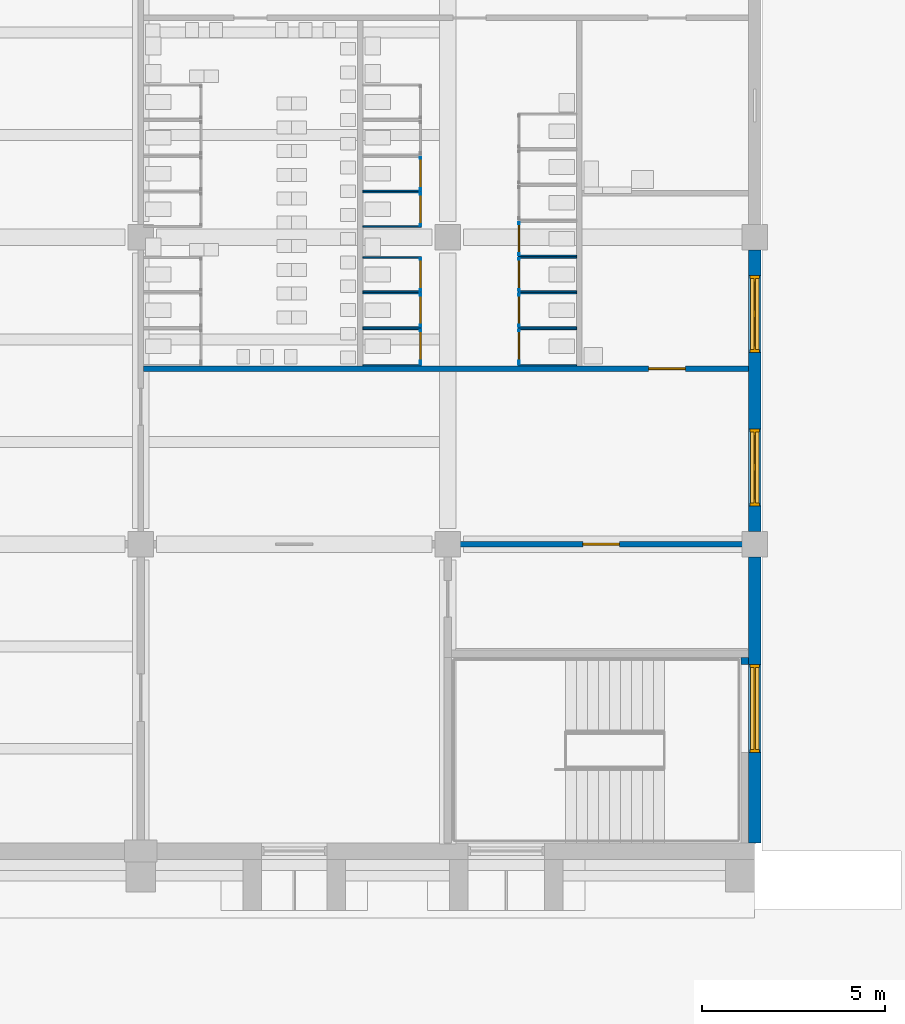
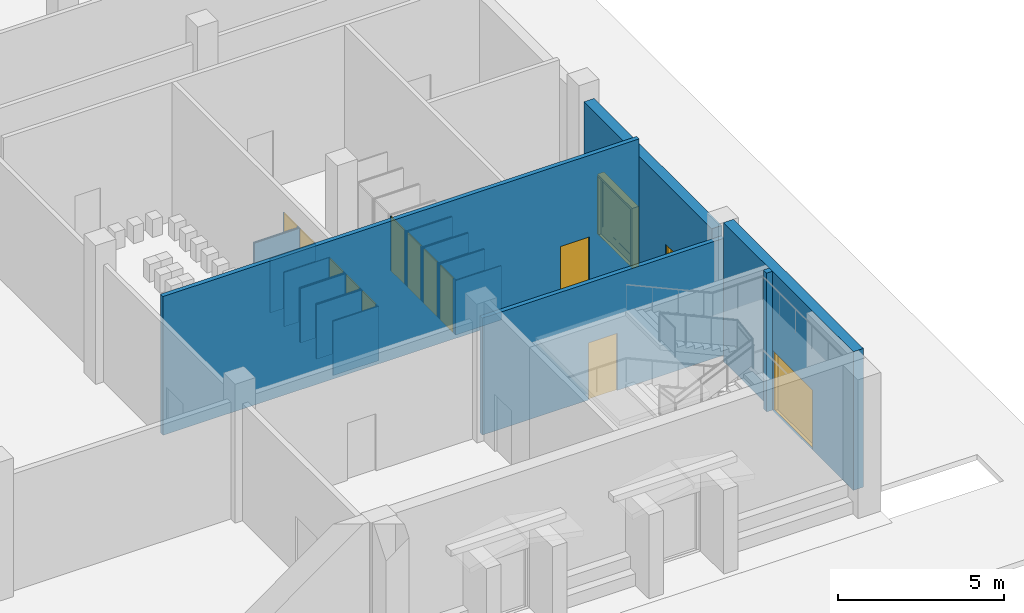
# One storey, part 35 of 74: 30 walls, 14 doors, 14 openings.
"""IFC4 building model written with IfcOpenShell, lengths in metres."""

from ifc_helpers import new_model, si_unit, direction, frame, frame_2d, origin, place, context, subcontext, project, spatial, rectangle, extrude, material, layer, layer_set, type_object, element, fill, save


model = new_model("IFC4")

# Units and contexts
model_context = context("Model", 3, precision=1e-05, world=origin(), true_north=direction((0.0, 1.0)))
body_context = subcontext(model_context, "Body", "Model", "MODEL_VIEW")
ifc_project = project(units=[si_unit("LENGTHUNIT", "METRE"), si_unit("AREAUNIT", "SQUARE_METRE"), si_unit("VOLUMEUNIT", "CUBIC_METRE"), si_unit("PLANEANGLEUNIT", "RADIAN"), si_unit("MASSUNIT", "GRAM", prefix="KILO")], contexts=[model_context])

# Site, building, storey
site_placement = place(None, origin())
site = spatial("IfcSite", under=ifc_project, at=site_placement, CompositionType="ELEMENT")
building_placement = place(site_placement, origin())
building = spatial("IfcBuilding", under=site, at=building_placement, Name="Rulbaag Community and Learning Centre", CompositionType="ELEMENT")
storey_placement = place(building_placement, origin())
storey = spatial("IfcBuildingStorey", under=building, at=storey_placement, Name="L00", CompositionType="ELEMENT", Elevation=0.0)

# Walls
ifc_material_1 = material(Name="High pressure laminate", Category="wood")
ifc_layer_1 = layer(ifc_material_1, 0.0400390625)
ifc_layer_set_1 = layer_set([ifc_layer_1], Name="CP-40")
wall_type_1 = type_object("IfcWallType", Name="CP-40", PredefinedType="PARTITIONING", material=ifc_layer_set_1)
for number, where, z_axis, x_axis, name in (
    (1, (157.27490234375, 13.294921875, 0.0), (0.0, 0.0, 1.0), (1.0, 0.0, 0.0), "Cubicle partition"),
    (2, (157.27490234375, 14.2900390625, 0.0), (0.0, 0.0, 1.0), (1.0, 0.0, 0.0), "Cubicle partition"),
):
    element("IfcWall", number, at=place(storey_placement, frame(where, z_axis=z_axis, x_axis=x_axis)), inside=storey, type_object=wall_type_1, Name=name, PredefinedType="PARTITIONING", context=body_context, shape_type="SweptSolid", body=[
        extrude(rectangle(XDim=1.59521484375, YDim=0.0400390625, at=frame_2d((0.797607421875, 0.0))), origin(), (0.0, 0.0, 1.0), 2.0),
    ])

# Wall, opening, door
wall_1_placement = place(storey_placement, frame((158.85009765625, 13.31494140625, 0.0), z_axis=(0.0, 0.0, 1.0), x_axis=(0.0, 1.0, 0.0)))
wall_1 = element("IfcWall", 3, at=wall_1_placement, inside=storey, type_object=wall_type_1, Name="Cubicle partition", PredefinedType="PARTITIONING", context=body_context, shape_type="SweptSolid", body=[
    extrude(rectangle(XDim=0.955078125, YDim=0.0400390625, at=frame_2d((0.4775390625, 0.0))), origin(), (0.0, 0.0, 1.0), 2.0),
])
opening_1_placement = place(wall_1_placement, frame((0.10498046875, 0.0, 0.0)))
opening_1 = element("IfcOpeningElement", 4, at=opening_1_placement, cuts=wall_1, Name="Opening L00-D163", PredefinedType="OPENING", context=body_context, shape_type="SweptSolid", body=[
    extrude(rectangle(XDim=0.800048828125, YDim=2.0, at=frame_2d((0.39990234375, 1.0))), frame((0.0, 0.030029296875, 0.0), z_axis=(0.0, -1.0, 0.0), x_axis=(1.0, 0.0, 0.0)), (0.0, 0.0, 1.0), 0.06005859375),
])
door_type_1 = type_object("IfcDoorType", Name="DC-80", OperationType="SINGLE_SWING_LEFT", PredefinedType="DOOR", material=ifc_material_1)
door_1_placement = place(opening_1_placement, origin())
door_1 = element("IfcDoor", 5, at=door_1_placement, inside=storey, type_object=door_type_1, Name="Cubicle door", OperationType="SINGLE_SWING_LEFT", OverallHeight=2.0, OverallWidth=0.800048828125, PredefinedType="DOOR", context=body_context, shape_type="SweptSolid", body=[
    extrude(rectangle(XDim=0.800048828125, YDim=2.0, at=frame_2d((0.39990234375, 1.0))), frame((0.0, 0.019775390625, 0.0), z_axis=(0.0, -1.0, 0.0), x_axis=(1.0, 0.0, 0.0)), (0.0, 0.0, 1.0), 0.03955078125),
])
fill(opening_1, door_1)

# Walls
for number, where, z_axis, x_axis, name in (
    (6, (157.27490234375, 14.330078125, 0.0), (0.0, 0.0, 1.0), (1.0, 0.0, 0.0), "Cubicle partition"),
    (7, (157.27490234375, 15.27001953125, 0.0), (0.0, 0.0, 1.0), (1.0, 0.0, 0.0), "Cubicle partition"),
):
    element("IfcWall", number, at=place(storey_placement, frame(where, z_axis=z_axis, x_axis=x_axis)), inside=storey, type_object=wall_type_1, Name=name, PredefinedType="PARTITIONING", context=body_context, shape_type="SweptSolid", body=[
        extrude(rectangle(XDim=1.59521484375, YDim=0.0400390625, at=frame_2d((0.797607421875, 0.0))), origin(), (0.0, 0.0, 1.0), 2.0),
    ])

# Wall, opening, door
wall_2_placement = place(storey_placement, frame((158.85009765625, 14.35009765625, 0.0), z_axis=(0.0, 0.0, 1.0), x_axis=(0.0, 1.0, 0.0)))
wall_2 = element("IfcWall", 8, at=wall_2_placement, inside=storey, type_object=wall_type_1, Name="Cubicle partition", PredefinedType="PARTITIONING", context=body_context, shape_type="SweptSolid", body=[
    extrude(rectangle(XDim=0.89990234375, YDim=0.0400390625, at=frame_2d((0.449951171875, 0.0))), origin(), (0.0, 0.0, 1.0), 2.0),
])
opening_2_placement = place(wall_2_placement, frame((0.050048828125, 0.0, 0.0)))
opening_2 = element("IfcOpeningElement", 9, at=opening_2_placement, cuts=wall_2, Name="Opening L00-D164", PredefinedType="OPENING", context=body_context, shape_type="SweptSolid", body=[
    extrude(rectangle(XDim=0.800048828125, YDim=2.0, at=frame_2d((0.39990234375, 1.0))), frame((0.0, 0.030029296875, 0.0), z_axis=(0.0, -1.0, 0.0), x_axis=(1.0, 0.0, 0.0)), (0.0, 0.0, 1.0), 0.06005859375),
])
door_2_placement = place(opening_2_placement, origin())
door_2 = element("IfcDoor", 10, at=door_2_placement, inside=storey, type_object=door_type_1, Name="Cubicle door", OperationType="SINGLE_SWING_LEFT", OverallHeight=2.0, OverallWidth=0.800048828125, PredefinedType="DOOR", context=body_context, shape_type="SweptSolid", body=[
    extrude(rectangle(XDim=0.800048828125, YDim=2.0, at=frame_2d((0.39990234375, 1.0))), frame((0.0, 0.019775390625, 0.0), z_axis=(0.0, -1.0, 0.0), x_axis=(1.0, 0.0, 0.0)), (0.0, 0.0, 1.0), 0.03955078125),
])
fill(opening_2, door_2)

# Walls
for number, where, z_axis, x_axis, name in (
    (11, (157.27490234375, 15.31005859375, 0.0), (0.0, 0.0, 1.0), (1.0, 0.0, 0.0), "Cubicle partition"),
    (12, (157.27490234375, 16.25, 0.0), (0.0, 0.0, 1.0), (1.0, 0.0, 0.0), "Cubicle partition"),
):
    element("IfcWall", number, at=place(storey_placement, frame(where, z_axis=z_axis, x_axis=x_axis)), inside=storey, type_object=wall_type_1, Name=name, PredefinedType="PARTITIONING", context=body_context, shape_type="SweptSolid", body=[
        extrude(rectangle(XDim=1.59521484375, YDim=0.0400390625, at=frame_2d((0.797607421875, 0.0))), origin(), (0.0, 0.0, 1.0), 2.0),
    ])

# Wall, opening, door
wall_3_placement = place(storey_placement, frame((158.85009765625, 15.330078125, 0.0), z_axis=(0.0, 0.0, 1.0), x_axis=(0.0, 1.0, 0.0)))
wall_3 = element("IfcWall", 13, at=wall_3_placement, inside=storey, type_object=wall_type_1, Name="Cubicle partition", PredefinedType="PARTITIONING", context=body_context, shape_type="SweptSolid", body=[
    extrude(rectangle(XDim=0.89990234375, YDim=0.0400390625, at=frame_2d((0.449951171875, 0.0))), origin(), (0.0, 0.0, 1.0), 2.0),
])
opening_3_placement = place(wall_3_placement, frame((0.050048828125, 0.0, 0.0)))
opening_3 = element("IfcOpeningElement", 14, at=opening_3_placement, cuts=wall_3, Name="Opening L00-D165", PredefinedType="OPENING", context=body_context, shape_type="SweptSolid", body=[
    extrude(rectangle(XDim=0.800048828125, YDim=2.0, at=frame_2d((0.39990234375, 1.0))), frame((0.0, 0.030029296875, 0.0), z_axis=(0.0, -1.0, 0.0), x_axis=(1.0, 0.0, 0.0)), (0.0, 0.0, 1.0), 0.06005859375),
])
door_3_placement = place(opening_3_placement, origin())
door_3 = element("IfcDoor", 15, at=door_3_placement, inside=storey, type_object=door_type_1, Name="Cubicle door", OperationType="SINGLE_SWING_LEFT", OverallHeight=2.0, OverallWidth=0.800048828125, PredefinedType="DOOR", context=body_context, shape_type="SweptSolid", body=[
    extrude(rectangle(XDim=0.800048828125, YDim=2.0, at=frame_2d((0.39990234375, 1.0))), frame((0.0, 0.019775390625, 0.0), z_axis=(0.0, -1.0, 0.0), x_axis=(1.0, 0.0, 0.0)), (0.0, 0.0, 1.0), 0.03955078125),
])
fill(opening_3, door_3)

# Walls
for number, where, z_axis, x_axis, name in (
    (16, (157.27490234375, 17.090087890625, 0.0), (0.0, 0.0, 1.0), (1.0, 0.0, 0.0), "Cubicle partition"),
    (17, (157.27490234375, 18.030029296875, 0.0), (0.0, 0.0, 1.0), (1.0, 0.0, 0.0), "Cubicle partition"),
):
    element("IfcWall", number, at=place(storey_placement, frame(where, z_axis=z_axis, x_axis=x_axis)), inside=storey, type_object=wall_type_1, Name=name, PredefinedType="PARTITIONING", context=body_context, shape_type="SweptSolid", body=[
        extrude(rectangle(XDim=1.59521484375, YDim=0.0400390625, at=frame_2d((0.797607421875, 0.0))), origin(), (0.0, 0.0, 1.0), 2.0),
    ])

# Wall, opening, door
wall_4_placement = place(storey_placement, frame((158.85009765625, 17.110107421875, 0.0), z_axis=(0.0, 0.0, 1.0), x_axis=(0.0, 1.0, 0.0)))
wall_4 = element("IfcWall", 18, at=wall_4_placement, inside=storey, type_object=wall_type_1, Name="Cubicle partition", PredefinedType="PARTITIONING", context=body_context, shape_type="SweptSolid", body=[
    extrude(rectangle(XDim=0.89990234375, YDim=0.0400390625, at=frame_2d((0.449951171875, 0.0))), origin(), (0.0, 0.0, 1.0), 2.0),
])
opening_4_placement = place(wall_4_placement, frame((0.050048828125, 0.0, 0.0)))
opening_4 = element("IfcOpeningElement", 19, at=opening_4_placement, cuts=wall_4, Name="Opening L00-D166", PredefinedType="OPENING", context=body_context, shape_type="SweptSolid", body=[
    extrude(rectangle(XDim=0.800048828125, YDim=2.0, at=frame_2d((0.39990234375, 1.0))), frame((0.0, 0.030029296875, 0.0), z_axis=(0.0, -1.0, 0.0), x_axis=(1.0, 0.0, 0.0)), (0.0, 0.0, 1.0), 0.06005859375),
])
door_4_placement = place(opening_4_placement, origin())
door_4 = element("IfcDoor", 20, at=door_4_placement, inside=storey, type_object=door_type_1, Name="Cubicle door", OperationType="SINGLE_SWING_LEFT", OverallHeight=2.0, OverallWidth=0.800048828125, PredefinedType="DOOR", context=body_context, shape_type="SweptSolid", body=[
    extrude(rectangle(XDim=0.800048828125, YDim=2.0, at=frame_2d((0.39990234375, 1.0))), frame((0.0, 0.019775390625, 0.0), z_axis=(0.0, -1.0, 0.0), x_axis=(1.0, 0.0, 0.0)), (0.0, 0.0, 1.0), 0.03955078125),
])
fill(opening_4, door_4)

# Wall
wall_5_placement = place(storey_placement, frame((157.27490234375, 18.070068359375, 0.0), z_axis=(0.0, 0.0, 1.0), x_axis=(1.0, 0.0, 0.0)))
element("IfcWall", 21, at=wall_5_placement, inside=storey, type_object=wall_type_1, Name="Cubicle partition", PredefinedType="PARTITIONING", context=body_context, shape_type="SweptSolid", body=[
    extrude(rectangle(XDim=1.59521484375, YDim=0.0400390625, at=frame_2d((0.797607421875, 0.0))), origin(), (0.0, 0.0, 1.0), 2.0),
])

# Wall, opening, door
wall_6_placement = place(storey_placement, frame((158.85009765625, 18.090087890625, 0.0), z_axis=(0.0, 0.0, 1.0), x_axis=(0.0, 1.0, 0.0)))
wall_6 = element("IfcWall", 22, at=wall_6_placement, inside=storey, type_object=wall_type_1, Name="Cubicle partition", PredefinedType="PARTITIONING", context=body_context, shape_type="SweptSolid", body=[
    extrude(rectangle(XDim=0.89990234375, YDim=0.0400390625, at=frame_2d((0.449951171875, 0.0))), origin(), (0.0, 0.0, 1.0), 2.0),
])
opening_5_placement = place(wall_6_placement, frame((0.050048828125, 0.0, 0.0)))
opening_5 = element("IfcOpeningElement", 23, at=opening_5_placement, cuts=wall_6, Name="Opening L00-D167", PredefinedType="OPENING", context=body_context, shape_type="SweptSolid", body=[
    extrude(rectangle(XDim=0.800048828125, YDim=2.0, at=frame_2d((0.39990234375, 1.0))), frame((0.0, 0.030029296875, 0.0), z_axis=(0.0, -1.0, 0.0), x_axis=(1.0, 0.0, 0.0)), (0.0, 0.0, 1.0), 0.06005859375),
])
door_5_placement = place(opening_5_placement, origin())
door_5 = element("IfcDoor", 24, at=door_5_placement, inside=storey, type_object=door_type_1, Name="Cubicle door", OperationType="SINGLE_SWING_LEFT", OverallHeight=2.0, OverallWidth=0.800048828125, PredefinedType="DOOR", context=body_context, shape_type="SweptSolid", body=[
    extrude(rectangle(XDim=0.800048828125, YDim=2.0, at=frame_2d((0.39990234375, 1.0))), frame((0.0, 0.019775390625, 0.0), z_axis=(0.0, -1.0, 0.0), x_axis=(1.0, 0.0, 0.0)), (0.0, 0.0, 1.0), 0.03955078125),
])
fill(opening_5, door_5)

# Walls
for number, where, z_axis, x_axis, name in (
    (25, (163.125, 13.294921875, 0.0), (0.0, 0.0, 1.0), (-1.0, 0.0, 0.0), "Cubicle partition"),
    (26, (163.125, 14.2900390625, 0.0), (0.0, 0.0, 1.0), (-1.0, 0.0, 0.0), "Cubicle partition"),
):
    element("IfcWall", number, at=place(storey_placement, frame(where, z_axis=z_axis, x_axis=x_axis)), inside=storey, type_object=wall_type_1, Name=name, PredefinedType="PARTITIONING", context=body_context, shape_type="SweptSolid", body=[
        extrude(rectangle(XDim=1.594970703125, YDim=0.0400390625, at=frame_2d((0.79736328125, 0.0))), origin(), (0.0, 0.0, 1.0), 2.0),
    ])

# Wall, opening, door
wall_7_placement = place(storey_placement, frame((161.550048828125, 13.31494140625, 0.0), z_axis=(0.0, 0.0, 1.0), x_axis=(0.0, 1.0, 0.0)))
wall_7 = element("IfcWall", 27, at=wall_7_placement, inside=storey, type_object=wall_type_1, Name="Cubicle partition", PredefinedType="PARTITIONING", context=body_context, shape_type="SweptSolid", body=[
    extrude(rectangle(XDim=0.955078125, YDim=0.0400390625, at=frame_2d((0.4775390625, 0.0))), origin(), (0.0, 0.0, 1.0), 2.0),
])
opening_6_placement = place(wall_7_placement, frame((0.10498046875, 0.0, 0.0)))
opening_6 = element("IfcOpeningElement", 28, at=opening_6_placement, cuts=wall_7, Name="Opening L00-D179", PredefinedType="OPENING", context=body_context, shape_type="SweptSolid", body=[
    extrude(rectangle(XDim=0.800048828125, YDim=2.0, at=frame_2d((0.39990234375, 1.0))), frame((0.0, 0.030029296875, 0.0), z_axis=(0.0, -1.0, 0.0), x_axis=(1.0, 0.0, 0.0)), (0.0, 0.0, 1.0), 0.06005859375),
])
door_6_placement = place(opening_6_placement, origin())
door_6 = element("IfcDoor", 29, at=door_6_placement, inside=storey, type_object=door_type_1, Name="Cubicle door", OperationType="SINGLE_SWING_LEFT", OverallHeight=2.0, OverallWidth=0.800048828125, PredefinedType="DOOR", context=body_context, shape_type="SweptSolid", body=[
    extrude(rectangle(XDim=0.800048828125, YDim=2.0, at=frame_2d((0.39990234375, 1.0))), frame((0.0, 0.019775390625, 0.0), z_axis=(0.0, -1.0, 0.0), x_axis=(1.0, 0.0, 0.0)), (0.0, 0.0, 1.0), 0.03955078125),
])
fill(opening_6, door_6)

# Walls
for number, where, z_axis, x_axis, name in (
    (30, (163.125, 14.330078125, 0.0), (0.0, 0.0, 1.0), (-1.0, 0.0, 0.0), "Cubicle partition"),
    (31, (163.125, 15.27001953125, 0.0), (0.0, 0.0, 1.0), (-1.0, 0.0, 0.0), "Cubicle partition"),
):
    element("IfcWall", number, at=place(storey_placement, frame(where, z_axis=z_axis, x_axis=x_axis)), inside=storey, type_object=wall_type_1, Name=name, PredefinedType="PARTITIONING", context=body_context, shape_type="SweptSolid", body=[
        extrude(rectangle(XDim=1.594970703125, YDim=0.0400390625, at=frame_2d((0.79736328125, 0.0))), origin(), (0.0, 0.0, 1.0), 2.0),
    ])

# Wall, opening, door
wall_8_placement = place(storey_placement, frame((161.550048828125, 14.35009765625, 0.0), z_axis=(0.0, 0.0, 1.0), x_axis=(0.0, 1.0, 0.0)))
wall_8 = element("IfcWall", 32, at=wall_8_placement, inside=storey, type_object=wall_type_1, Name="Cubicle partition", PredefinedType="PARTITIONING", context=body_context, shape_type="SweptSolid", body=[
    extrude(rectangle(XDim=0.89990234375, YDim=0.0400390625, at=frame_2d((0.449951171875, 0.0))), origin(), (0.0, 0.0, 1.0), 2.0),
])
opening_7_placement = place(wall_8_placement, frame((0.050048828125, 0.0, 0.0)))
opening_7 = element("IfcOpeningElement", 33, at=opening_7_placement, cuts=wall_8, Name="Opening L00-D180", PredefinedType="OPENING", context=body_context, shape_type="SweptSolid", body=[
    extrude(rectangle(XDim=0.800048828125, YDim=2.0, at=frame_2d((0.39990234375, 1.0))), frame((0.0, 0.030029296875, 0.0), z_axis=(0.0, -1.0, 0.0), x_axis=(1.0, 0.0, 0.0)), (0.0, 0.0, 1.0), 0.06005859375),
])
door_7_placement = place(opening_7_placement, origin())
door_7 = element("IfcDoor", 34, at=door_7_placement, inside=storey, type_object=door_type_1, Name="Cubicle door", OperationType="SINGLE_SWING_LEFT", OverallHeight=2.0, OverallWidth=0.800048828125, PredefinedType="DOOR", context=body_context, shape_type="SweptSolid", body=[
    extrude(rectangle(XDim=0.800048828125, YDim=2.0, at=frame_2d((0.39990234375, 1.0))), frame((0.0, 0.019775390625, 0.0), z_axis=(0.0, -1.0, 0.0), x_axis=(1.0, 0.0, 0.0)), (0.0, 0.0, 1.0), 0.03955078125),
])
fill(opening_7, door_7)

# Walls
for number, where, z_axis, x_axis, name in (
    (35, (163.125, 15.31005859375, 0.0), (0.0, 0.0, 1.0), (-1.0, 0.0, 0.0), "Cubicle partition"),
    (36, (163.125, 16.25, 0.0), (0.0, 0.0, 1.0), (-1.0, 0.0, 0.0), "Cubicle partition"),
):
    element("IfcWall", number, at=place(storey_placement, frame(where, z_axis=z_axis, x_axis=x_axis)), inside=storey, type_object=wall_type_1, Name=name, PredefinedType="PARTITIONING", context=body_context, shape_type="SweptSolid", body=[
        extrude(rectangle(XDim=1.594970703125, YDim=0.0400390625, at=frame_2d((0.79736328125, 0.0))), origin(), (0.0, 0.0, 1.0), 2.0),
    ])

# Wall, opening, door
wall_9_placement = place(storey_placement, frame((161.550048828125, 15.330078125, 0.0), z_axis=(0.0, 0.0, 1.0), x_axis=(0.0, 1.0, 0.0)))
wall_9 = element("IfcWall", 37, at=wall_9_placement, inside=storey, type_object=wall_type_1, Name="Cubicle partition", PredefinedType="PARTITIONING", context=body_context, shape_type="SweptSolid", body=[
    extrude(rectangle(XDim=0.89990234375, YDim=0.0400390625, at=frame_2d((0.449951171875, 0.0))), origin(), (0.0, 0.0, 1.0), 2.0),
])
opening_8_placement = place(wall_9_placement, frame((0.050048828125, 0.0, 0.0)))
opening_8 = element("IfcOpeningElement", 38, at=opening_8_placement, cuts=wall_9, Name="Opening L00-D181", PredefinedType="OPENING", context=body_context, shape_type="SweptSolid", body=[
    extrude(rectangle(XDim=0.800048828125, YDim=2.0, at=frame_2d((0.39990234375, 1.0))), frame((0.0, 0.030029296875, 0.0), z_axis=(0.0, -1.0, 0.0), x_axis=(1.0, 0.0, 0.0)), (0.0, 0.0, 1.0), 0.06005859375),
])
door_8_placement = place(opening_8_placement, origin())
door_8 = element("IfcDoor", 39, at=door_8_placement, inside=storey, type_object=door_type_1, Name="Cubicle door", OperationType="SINGLE_SWING_LEFT", OverallHeight=2.0, OverallWidth=0.800048828125, PredefinedType="DOOR", context=body_context, shape_type="SweptSolid", body=[
    extrude(rectangle(XDim=0.800048828125, YDim=2.0, at=frame_2d((0.39990234375, 1.0))), frame((0.0, 0.019775390625, 0.0), z_axis=(0.0, -1.0, 0.0), x_axis=(1.0, 0.0, 0.0)), (0.0, 0.0, 1.0), 0.03955078125),
])
fill(opening_8, door_8)

# Wall
wall_10_placement = place(storey_placement, frame((163.125, 16.2900390625, 0.0), z_axis=(0.0, 0.0, 1.0), x_axis=(-1.0, 0.0, 0.0)))
element("IfcWall", 40, at=wall_10_placement, inside=storey, type_object=wall_type_1, Name="Cubicle partition", PredefinedType="PARTITIONING", context=body_context, shape_type="SweptSolid", body=[
    extrude(rectangle(XDim=1.594970703125, YDim=0.0400390625, at=frame_2d((0.79736328125, 0.0))), origin(), (0.0, 0.0, 1.0), 2.0),
])

# Wall, opening, door
wall_11_placement = place(storey_placement, frame((161.550048828125, 16.31005859375, 0.0), z_axis=(0.0, 0.0, 1.0), x_axis=(0.0, 1.0, 0.0)))
wall_11 = element("IfcWall", 41, at=wall_11_placement, inside=storey, type_object=wall_type_1, Name="Cubicle partition", PredefinedType="PARTITIONING", context=body_context, shape_type="SweptSolid", body=[
    extrude(rectangle(XDim=0.89990234375, YDim=0.0400390625, at=frame_2d((0.449951171875, 0.0))), origin(), (0.0, 0.0, 1.0), 2.0),
])
opening_9_placement = place(wall_11_placement, frame((0.050048828125, 0.0, 0.0)))
opening_9 = element("IfcOpeningElement", 42, at=opening_9_placement, cuts=wall_11, Name="Opening L00-D182", PredefinedType="OPENING", context=body_context, shape_type="SweptSolid", body=[
    extrude(rectangle(XDim=0.800048828125, YDim=2.0, at=frame_2d((0.39990234375, 1.0))), frame((0.0, 0.030029296875, 0.0), z_axis=(0.0, -1.0, 0.0), x_axis=(1.0, 0.0, 0.0)), (0.0, 0.0, 1.0), 0.06005859375),
])
door_9_placement = place(opening_9_placement, origin())
door_9 = element("IfcDoor", 43, at=door_9_placement, inside=storey, type_object=door_type_1, Name="Cubicle door", OperationType="SINGLE_SWING_LEFT", OverallHeight=2.0, OverallWidth=0.800048828125, PredefinedType="DOOR", context=body_context, shape_type="SweptSolid", body=[
    extrude(rectangle(XDim=0.800048828125, YDim=2.0, at=frame_2d((0.39990234375, 1.0))), frame((0.0, 0.019775390625, 0.0), z_axis=(0.0, -1.0, 0.0), x_axis=(1.0, 0.0, 0.0)), (0.0, 0.0, 1.0), 0.03955078125),
])
fill(opening_9, door_9)

ifc_material_2 = material(Name="Concrete M40", Category="concrete")
ifc_layer_2 = layer(ifc_material_2, 0.35009765625)
ifc_layer_set_2 = layer_set([ifc_layer_2], Name="EW-CONC350")
wall_type_2 = type_object("IfcWallType", Name="EW-CONC350", PredefinedType="STANDARD", material=ifc_layer_set_2)
wall_12_placement = place(storey_placement, frame((168.0, 0.22509765625, 0.0), z_axis=(0.0, 0.0, 1.0), x_axis=(0.0, 1.0, 0.0)))
wall_12 = element("IfcWall", 44, at=wall_12_placement, inside=storey, type_object=wall_type_2, Name="Board-marked concrete cladding wall AE", PredefinedType="STANDARD", context=body_context, shape_type="SweptSolid", body=[
    extrude(rectangle(XDim=7.824951171875, YDim=0.35009765625, at=frame_2d((3.91259765625, 0.0))), origin(), (0.0, 0.0, 1.0), 5.10009765625),
])
opening_10_placement = place(wall_12_placement, frame((4.875, 0.0, 0.0), z_axis=(0.0, 0.0, 1.0), x_axis=(-1.0, 0.0, 0.0)))
opening_10 = element("IfcOpeningElement", 45, at=opening_10_placement, cuts=wall_12, Name="Opening L00-D202", PredefinedType="OPENING", context=body_context, shape_type="SweptSolid", body=[
    extrude(rectangle(XDim=2.39990234375, YDim=2.199951171875, at=frame_2d((1.199951171875, 1.10009765625))), frame((0.0, 0.18505859375, 0.0), z_axis=(0.0, -1.0, 0.0), x_axis=(1.0, 0.0, 0.0)), (0.0, 0.0, 1.0), 0.3701171875),
])
ifc_material_3 = material(Name="Galvanised steel", Category="steel")
door_type_2 = type_object("IfcDoorType", Name="DR-24", OperationType="ROLLINGUP", PredefinedType="DOOR", material=ifc_material_3)
door_10_placement = place(opening_10_placement, origin())
door_10 = element("IfcDoor", 46, at=door_10_placement, inside=storey, type_object=door_type_2, Name="Service door S10 Bicycle store", OperationType="SINGLE_SWING_LEFT", OverallHeight=2.199951171875, OverallWidth=2.39990234375, PredefinedType="DOOR", context=body_context, shape_type="SweptSolid", body=[
    extrude(rectangle(XDim=2.39990234375, YDim=0.012939453125, at=frame_2d((1.199951171875, 0.006591796875))), frame((0.0, 0.114990234375, 0.0), z_axis=(0.0, -1.0, 0.0), x_axis=(1.0, 0.0, 0.0)), (0.0, 0.0, 1.0), 0.22998046875),
    extrude(rectangle(XDim=0.074951171875, YDim=2.112060546875, at=frame_2d((0.03759765625, 1.069091796875))), frame((0.0, 0.125, 0.0), z_axis=(0.0, -1.0, 0.0), x_axis=(1.0, 0.0, 0.0)), (0.0, 0.0, 1.0), 0.25),
    extrude(rectangle(XDim=0.074951171875, YDim=2.112060546875, at=frame_2d((2.3623046875, 1.069091796875))), frame((0.0, 0.125, 0.0), z_axis=(0.0, -1.0, 0.0), x_axis=(1.0, 0.0, 0.0)), (0.0, 0.0, 1.0), 0.25),
    extrude(rectangle(XDim=2.39990234375, YDim=0.074951171875, at=frame_2d((1.199951171875, 2.16259765625))), frame((0.0, 0.114990234375, 0.0), z_axis=(0.0, -1.0, 0.0), x_axis=(1.0, 0.0, 0.0)), (0.0, 0.0, 1.0), 0.22998046875),
    extrude(rectangle(XDim=2.25, YDim=2.112060546875, at=frame_2d((1.199951171875, 1.069091796875))), frame((0.0, 0.02490234375, 0.0), z_axis=(0.0, -1.0, 0.0), x_axis=(1.0, 0.0, 0.0)), (0.0, 0.0, 1.0), 0.050048828125),
])
fill(opening_10, door_10)

# Wall, openings, doors
wall_13_placement = place(storey_placement, frame((168.0, 8.75, 0.0), z_axis=(0.0, 0.0, 1.0), x_axis=(0.0, 1.0, 0.0)))
wall_13 = element("IfcWall", 47, at=wall_13_placement, inside=storey, type_object=wall_type_2, Name="Board-marked concrete cladding wall AE", PredefinedType="STANDARD", context=body_context, shape_type="SweptSolid", body=[
    extrude(rectangle(XDim=7.699951171875, YDim=0.35009765625, at=frame_2d((3.85009765625, 0.0))), origin(), (0.0, 0.0, 1.0), 4.449951171875),
])
opening_11_placement = place(wall_13_placement, frame((2.800048828125, 0.0, 0.0), z_axis=(0.0, 0.0, 1.0), x_axis=(-1.0, 0.0, 0.0)))
opening_11 = element("IfcOpeningElement", 48, at=opening_11_placement, cuts=wall_13, Name="Opening L00-D203", PredefinedType="OPENING", context=body_context, shape_type="SweptSolid", body=[
    extrude(rectangle(XDim=2.10009765625, YDim=2.199951171875, at=frame_2d((1.050048828125, 1.10009765625))), frame((0.0, 0.18505859375, 0.0), z_axis=(0.0, -1.0, 0.0), x_axis=(1.0, 0.0, 0.0)), (0.0, 0.0, 1.0), 0.3701171875),
])
opening_12_placement = place(wall_13_placement, frame((7.0, 0.0, 0.0), z_axis=(0.0, 0.0, 1.0), x_axis=(-1.0, 0.0, 0.0)))
opening_12 = element("IfcOpeningElement", 49, at=opening_12_placement, cuts=wall_13, Name="Opening L00-D204", PredefinedType="OPENING", context=body_context, shape_type="SweptSolid", body=[
    extrude(rectangle(XDim=2.10009765625, YDim=2.199951171875, at=frame_2d((1.050048828125, 1.10009765625))), frame((0.0, 0.18505859375, 0.0), z_axis=(0.0, -1.0, 0.0), x_axis=(1.0, 0.0, 0.0)), (0.0, 0.0, 1.0), 0.3701171875),
])
ifc_material_4 = material(Name="Aluminium", Category="aluminium")
door_type_3 = type_object("IfcDoorType", Name="DG-21", OperationType="DOUBLE_DOOR_SINGLE_SWING", PredefinedType="DOOR", material=ifc_material_4)
door_11_placement = place(opening_11_placement, origin())
door_11 = element("IfcDoor", 50, at=door_11_placement, inside=storey, type_object=door_type_3, Name="Final exit G18", OperationType="SINGLE_SWING_LEFT", OverallHeight=2.199951171875, OverallWidth=2.10009765625, PredefinedType="DOOR", context=body_context, shape_type="SweptSolid", body=[
    extrude(rectangle(XDim=2.10009765625, YDim=0.012939453125, at=frame_2d((1.050048828125, 0.006591796875))), frame((0.0, 0.114990234375, 0.0), z_axis=(0.0, -1.0, 0.0), x_axis=(1.0, 0.0, 0.0)), (0.0, 0.0, 1.0), 0.22998046875),
    extrude(rectangle(XDim=0.074951171875, YDim=2.112060546875, at=frame_2d((0.03759765625, 1.069091796875))), frame((0.0, 0.125, 0.0), z_axis=(0.0, -1.0, 0.0), x_axis=(1.0, 0.0, 0.0)), (0.0, 0.0, 1.0), 0.25),
    extrude(rectangle(XDim=0.074951171875, YDim=2.112060546875, at=frame_2d((2.0625, 1.069091796875))), frame((0.0, 0.125, 0.0), z_axis=(0.0, -1.0, 0.0), x_axis=(1.0, 0.0, 0.0)), (0.0, 0.0, 1.0), 0.25),
    extrude(rectangle(XDim=2.10009765625, YDim=0.074951171875, at=frame_2d((1.050048828125, 2.16259765625))), frame((0.0, 0.114990234375, 0.0), z_axis=(0.0, -1.0, 0.0), x_axis=(1.0, 0.0, 0.0)), (0.0, 0.0, 1.0), 0.22998046875),
    extrude(rectangle(XDim=1.9501953125, YDim=0.300048828125, at=frame_2d((1.050048828125, 0.1630859375))), frame((0.0, 0.02001953125, 0.0), z_axis=(0.0, -1.0, 0.0), x_axis=(1.0, 0.0, 0.0)), (0.0, 0.0, 1.0), 0.0400390625),
    extrude(rectangle(XDim=1.9501953125, YDim=0.1201171875, at=frame_2d((1.050048828125, 2.06494140625))), frame((0.0, 0.02001953125, 0.0), z_axis=(0.0, -1.0, 0.0), x_axis=(1.0, 0.0, 0.0)), (0.0, 0.0, 1.0), 0.0400390625),
    extrude(rectangle(XDim=0.090087890625, YDim=1.69189453125, at=frame_2d((0.119873046875, 1.158935546875))), frame((0.0, 0.02490234375, 0.0), z_axis=(0.0, -1.0, 0.0), x_axis=(1.0, 0.0, 0.0)), (0.0, 0.0, 1.0), 0.050048828125),
    extrude(rectangle(XDim=0.179931640625, YDim=1.69189453125, at=frame_2d((1.050048828125, 1.158935546875))), frame((0.0, 0.02490234375, 0.0), z_axis=(0.0, -1.0, 0.0), x_axis=(1.0, 0.0, 0.0)), (0.0, 0.0, 1.0), 0.050048828125),
    extrude(rectangle(XDim=0.090087890625, YDim=1.69189453125, at=frame_2d((1.980224609375, 1.158935546875))), frame((0.0, 0.02490234375, 0.0), z_axis=(0.0, -1.0, 0.0), x_axis=(1.0, 0.0, 0.0)), (0.0, 0.0, 1.0), 0.050048828125),
    extrude(rectangle(XDim=0.795166015625, YDim=1.69189453125, at=frame_2d((0.5625, 1.158935546875))), frame((0.0, 0.011962890625, 0.0), z_axis=(0.0, -1.0, 0.0), x_axis=(1.0, 0.0, 0.0)), (0.0, 0.0, 1.0), 0.02392578125),
    extrude(rectangle(XDim=0.795166015625, YDim=1.69189453125, at=frame_2d((1.53759765625, 1.158935546875))), frame((0.0, 0.011962890625, 0.0), z_axis=(0.0, -1.0, 0.0), x_axis=(1.0, 0.0, 0.0)), (0.0, 0.0, 1.0), 0.02392578125),
])
fill(opening_11, door_11)
door_12_placement = place(opening_12_placement, origin())
door_12 = element("IfcDoor", 51, at=door_12_placement, inside=storey, type_object=door_type_3, Name="Final exit G19", OperationType="SINGLE_SWING_LEFT", OverallHeight=2.199951171875, OverallWidth=2.10009765625, PredefinedType="DOOR", context=body_context, shape_type="SweptSolid", body=[
    extrude(rectangle(XDim=2.10009765625, YDim=0.012939453125, at=frame_2d((1.050048828125, 0.006591796875))), frame((0.0, 0.114990234375, 0.0), z_axis=(0.0, -1.0, 0.0), x_axis=(1.0, 0.0, 0.0)), (0.0, 0.0, 1.0), 0.22998046875),
    extrude(rectangle(XDim=0.074951171875, YDim=2.112060546875, at=frame_2d((0.03759765625, 1.069091796875))), frame((0.0, 0.125, 0.0), z_axis=(0.0, -1.0, 0.0), x_axis=(1.0, 0.0, 0.0)), (0.0, 0.0, 1.0), 0.25),
    extrude(rectangle(XDim=0.074951171875, YDim=2.112060546875, at=frame_2d((2.0625, 1.069091796875))), frame((0.0, 0.125, 0.0), z_axis=(0.0, -1.0, 0.0), x_axis=(1.0, 0.0, 0.0)), (0.0, 0.0, 1.0), 0.25),
    extrude(rectangle(XDim=2.10009765625, YDim=0.074951171875, at=frame_2d((1.050048828125, 2.16259765625))), frame((0.0, 0.114990234375, 0.0), z_axis=(0.0, -1.0, 0.0), x_axis=(1.0, 0.0, 0.0)), (0.0, 0.0, 1.0), 0.22998046875),
    extrude(rectangle(XDim=1.9501953125, YDim=0.300048828125, at=frame_2d((1.050048828125, 0.1630859375))), frame((0.0, 0.02001953125, 0.0), z_axis=(0.0, -1.0, 0.0), x_axis=(1.0, 0.0, 0.0)), (0.0, 0.0, 1.0), 0.0400390625),
    extrude(rectangle(XDim=1.9501953125, YDim=0.1201171875, at=frame_2d((1.050048828125, 2.06494140625))), frame((0.0, 0.02001953125, 0.0), z_axis=(0.0, -1.0, 0.0), x_axis=(1.0, 0.0, 0.0)), (0.0, 0.0, 1.0), 0.0400390625),
    extrude(rectangle(XDim=0.090087890625, YDim=1.69189453125, at=frame_2d((0.119873046875, 1.158935546875))), frame((0.0, 0.02490234375, 0.0), z_axis=(0.0, -1.0, 0.0), x_axis=(1.0, 0.0, 0.0)), (0.0, 0.0, 1.0), 0.050048828125),
    extrude(rectangle(XDim=0.179931640625, YDim=1.69189453125, at=frame_2d((1.050048828125, 1.158935546875))), frame((0.0, 0.02490234375, 0.0), z_axis=(0.0, -1.0, 0.0), x_axis=(1.0, 0.0, 0.0)), (0.0, 0.0, 1.0), 0.050048828125),
    extrude(rectangle(XDim=0.090087890625, YDim=1.69189453125, at=frame_2d((1.980224609375, 1.158935546875))), frame((0.0, 0.02490234375, 0.0), z_axis=(0.0, -1.0, 0.0), x_axis=(1.0, 0.0, 0.0)), (0.0, 0.0, 1.0), 0.050048828125),
    extrude(rectangle(XDim=0.795166015625, YDim=1.69189453125, at=frame_2d((0.5625, 1.158935546875))), frame((0.0, 0.011962890625, 0.0), z_axis=(0.0, -1.0, 0.0), x_axis=(1.0, 0.0, 0.0)), (0.0, 0.0, 1.0), 0.02392578125),
    extrude(rectangle(XDim=0.795166015625, YDim=1.69189453125, at=frame_2d((1.53759765625, 1.158935546875))), frame((0.0, 0.011962890625, 0.0), z_axis=(0.0, -1.0, 0.0), x_axis=(1.0, 0.0, 0.0)), (0.0, 0.0, 1.0), 0.02392578125),
])
fill(opening_12, door_12)

# Wall, opening, door
ifc_material_5 = material(Name="Concrete blockwork", Category="masonry")
ifc_layer_3 = layer(ifc_material_5, 0.14990234375)
ifc_layer_set_3 = layer_set([ifc_layer_3], Name="IP-150 PARTITION 150")
wall_type_3 = type_object("IfcWallType", Name="IP-150 PARTITION 150", PredefinedType="PARTITIONING", material=ifc_layer_set_3)
wall_14_placement = place(storey_placement, frame((159.60009765625, 8.39990234375, 0.0), z_axis=(0.0, 0.0, 1.0), x_axis=(1.0, 0.0, 0.0)))
wall_14 = element("IfcWall", 52, at=wall_14_placement, inside=storey, type_object=wall_type_3, Name="Partition L00 8", PredefinedType="PARTITIONING", context=body_context, shape_type="SweptSolid", body=[
    extrude(rectangle(XDim=8.39990234375, YDim=0.14990234375, at=frame_2d((4.199951171875, 0.0))), origin(), (0.0, 0.0, 1.0), 4.300048828125),
])
opening_13_placement = place(wall_14_placement, frame((3.699951171875, 0.0, 0.0)))
opening_13 = element("IfcOpeningElement", 53, at=opening_13_placement, cuts=wall_14, Name="Opening L00-D188", PredefinedType="OPENING", context=body_context, shape_type="SweptSolid", body=[
    extrude(rectangle(XDim=1.0, YDim=2.10009765625, at=frame_2d((0.5, 1.050048828125))), frame((0.0, 0.0849609375, 0.0), z_axis=(0.0, -1.0, 0.0), x_axis=(1.0, 0.0, 0.0)), (0.0, 0.0, 1.0), 0.169921875),
])
ifc_material_6 = material(Name="Timber", Category="wood")
door_type_4 = type_object("IfcDoorType", Name="D-1000 DOOR 1000 x 2100", OperationType="SINGLE_SWING_LEFT", PredefinedType="DOOR", material=ifc_material_6)
door_13_placement = place(opening_13_placement, origin())
door_13 = element("IfcDoor", 54, at=door_13_placement, inside=storey, type_object=door_type_4, Name="Door L00-D188", OperationType="SINGLE_SWING_RIGHT", OverallHeight=2.10009765625, OverallWidth=1.0, PredefinedType="DOOR", context=body_context, shape_type="SweptSolid", body=[
    extrude(rectangle(XDim=1.0, YDim=2.10009765625, at=frame_2d((0.5, 1.050048828125))), frame((0.0, 0.02490234375, 0.0), z_axis=(0.0, -1.0, 0.0), x_axis=(1.0, 0.0, 0.0)), (0.0, 0.0, 1.0), 0.050048828125),
])
fill(opening_13, door_13)

wall_15_placement = place(storey_placement, frame((151.27490234375, 13.199951171875, 0.0), z_axis=(0.0, 0.0, 1.0), x_axis=(1.0, 0.0, 0.0)))
wall_15 = element("IfcWall", 55, at=wall_15_placement, inside=storey, type_object=wall_type_3, Name="Partition L00 11", PredefinedType="PARTITIONING", context=body_context, shape_type="SweptSolid", body=[
    extrude(rectangle(XDim=16.550048828125, YDim=0.14990234375, at=frame_2d((8.27490234375, 0.0))), origin(), (0.0, 0.0, 1.0), 5.10009765625),
])
opening_14_placement = place(wall_15_placement, frame((13.824951171875, 0.0, 0.0)))
opening_14 = element("IfcOpeningElement", 56, at=opening_14_placement, cuts=wall_15, Name="Opening L00-D195", PredefinedType="OPENING", context=body_context, shape_type="SweptSolid", body=[
    extrude(rectangle(XDim=1.0, YDim=2.10009765625, at=frame_2d((0.5, 1.050048828125))), frame((0.0, 0.0849609375, 0.0), z_axis=(0.0, -1.0, 0.0), x_axis=(1.0, 0.0, 0.0)), (0.0, 0.0, 1.0), 0.169921875),
])
door_14_placement = place(opening_14_placement, origin())
door_14 = element("IfcDoor", 57, at=door_14_placement, inside=storey, type_object=door_type_4, Name="Door L00-D195", OperationType="SINGLE_SWING_RIGHT", OverallHeight=2.10009765625, OverallWidth=1.0, PredefinedType="DOOR", context=body_context, shape_type="SweptSolid", body=[
    extrude(rectangle(XDim=1.0, YDim=2.10009765625, at=frame_2d((0.5, 1.050048828125))), frame((0.0, 0.02490234375, 0.0), z_axis=(0.0, -1.0, 0.0), x_axis=(1.0, 0.0, 0.0)), (0.0, 0.0, 1.0), 0.050048828125),
])
fill(opening_14, door_14)

# Wall
ifc_layer_4 = layer(ifc_material_2, 0.199951171875)
ifc_layer_set_4 = layer_set([ifc_layer_4], Name="WSE Stair enclosure wall 200 Concrete M40")
wall_type_4 = type_object("IfcWallType", Name="WSE Stair enclosure wall 200 Concrete M40", PredefinedType="SHEAR", material=ifc_layer_set_4)
wall_16_placement = place(storey_placement, frame((167.72509765625, 5.10009765625, 0.0), z_axis=(0.0, 0.0, 1.0), x_axis=(0.0, 1.0, 0.0)))
element("IfcWall", 58, at=wall_16_placement, inside=storey, type_object=wall_type_4, Name="Stair enclosure wall SH10 E L00", PredefinedType="SHEAR", context=body_context, shape_type="SweptSolid", body=[
    extrude(rectangle(XDim=0.199951171875, YDim=0.199951171875, at=frame_2d((0.10009765625, 0.0))), origin(), (0.0, 0.0, 1.0), 5.10009765625),
])

save(model, "model.ifc")
